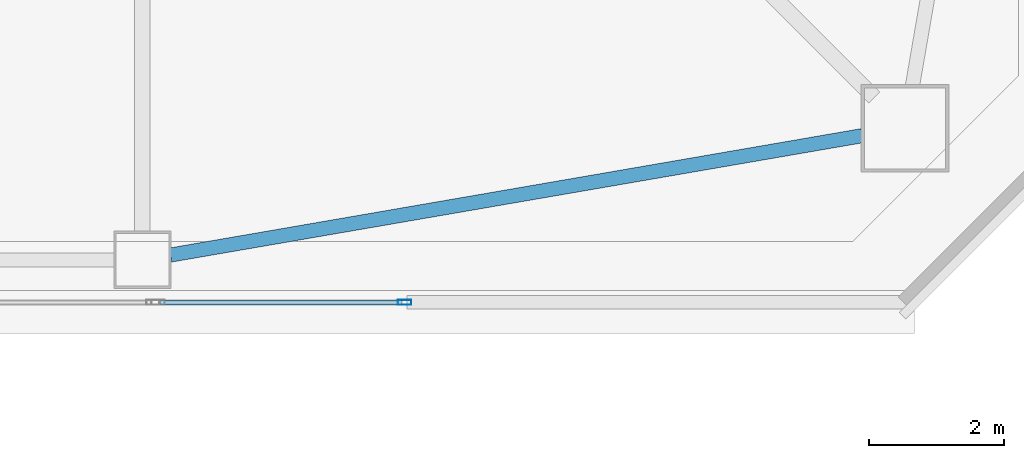
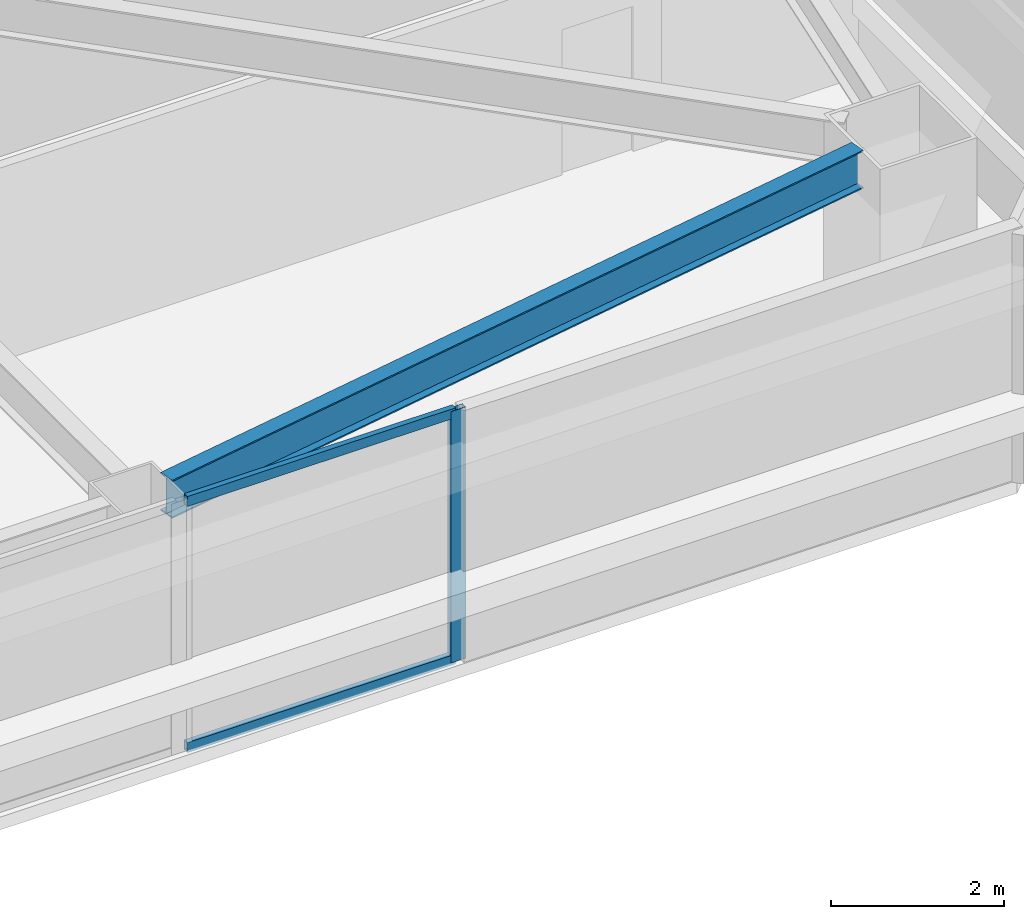
# One storey, part 6 of 41: 3 members, 1 beam, 1 element without a shape of its own.
"""IFC4 building model written with IfcOpenShell, lengths in metres."""

import ifcopenshell
import ifcopenshell.guid

model = None  # the IFC model being written
_history = None  # IfcOwnerHistory: only IFC2X3 demands one
_inside = {}  # id of a spatial element -> (the spatial element, [elements in it])
_under = {}  # id of a project, library or spatial element -> (it, [spatial elements below it])
_declared = {}  # id of a project -> (the project, [libraries it declares])
_typed = {}  # id of a type object -> (the type object, [elements of that type])
_made_of = {}  # id of a material, layer set ... -> (it, [elements and type objects made of it])


def new_model(schema):
    """Start an empty IFC model of exactly this schema.

    Asked for "IFC4X3", IfcOpenShell would pick the latest addendum, in which some entities
    have other attributes; the version numbers below select the first issue.
    IFC2X3 requires an IfcOwnerHistory on every rooted entity: one is made here for all.
    """
    global model, _history
    if schema == "IFC4X3":
        model = ifcopenshell.file(schema_version=(4, 3, 0, 0))
    else:
        model = ifcopenshell.file(schema=schema)
    _inside.clear()
    _under.clear()
    _declared.clear()
    _typed.clear()
    _made_of.clear()
    _history = None
    if model.schema == "IFC2X3":
        org = make("IfcOrganization", Name="unknown")
        user = make(
            "IfcPersonAndOrganization",
            ThePerson=make("IfcPerson", FamilyName="unknown"),
            TheOrganization=org,
        )
        app = make(
            "IfcApplication",
            ApplicationDeveloper=org,
            Version="unknown",
            ApplicationFullName="unknown",
            ApplicationIdentifier="unknown",
        )
        _history = make(
            "IfcOwnerHistory",
            OwningUser=user,
            OwningApplication=app,
            ChangeAction="ADDED",
            CreationDate=0,
        )
    return model


def make(cls, **values):
    """One entity of the class cls with the attributes given. An attribute that is None is left unset."""
    return model.create_entity(
        cls, **{name: value for name, value in values.items() if value is not None}
    )


def rooted(cls, **values):
    """An entity with a GlobalId (a new one), such as an element, a storey or a relation."""
    return make(cls, GlobalId=ifcopenshell.guid.new(), OwnerHistory=_history, **values)


def si_unit(unit_type, name, prefix=None):
    """IfcSIUnit, for example si_unit("LENGTHUNIT", "METRE", prefix="MILLI")."""
    return make("IfcSIUnit", UnitType=unit_type, Prefix=prefix, Name=name)


def assignment(units):
    """IfcUnitAssignment: the units of a project."""
    return None if units is None else make("IfcUnitAssignment", Units=units)


def point(xyz):
    """IfcCartesianPoint."""
    return None if xyz is None else make("IfcCartesianPoint", Coordinates=xyz)


def direction(xyz):
    """IfcDirection."""
    return None if xyz is None else make("IfcDirection", DirectionRatios=xyz)


def frame(location, z_axis=None, x_axis=None):
    """IfcAxis2Placement3D, a coordinate frame: its origin and axes. An axis left out is left unset."""
    return make(
        "IfcAxis2Placement3D",
        Location=point(location),
        Axis=direction(z_axis),
        RefDirection=direction(x_axis),
    )


def frame_2d(location, x_axis=None):
    """IfcAxis2Placement2D, a coordinate frame in the plane: its origin and x axis."""
    return make(
        "IfcAxis2Placement2D", Location=point(location), RefDirection=direction(x_axis)
    )


def origin():
    """The frame at (0, 0, 0) with its axes left unset."""
    return frame((0.0, 0.0, 0.0))


def origin_2d():
    """The frame at (0, 0) in the plane with its x axis left unset."""
    return frame_2d((0.0, 0.0))


def place(relative_to, where):
    """IfcLocalPlacement: puts the frame where relative to a parent placement (None: the world)."""
    return make(
        "IfcLocalPlacement", PlacementRelTo=relative_to, RelativePlacement=where
    )


def context(
    kind, dimensions, precision=None, world=None, true_north=None, identifier=None
):
    """IfcGeometricRepresentationContext, for example the 3D "Model" context."""
    return make(
        "IfcGeometricRepresentationContext",
        ContextIdentifier=identifier,
        ContextType=kind,
        CoordinateSpaceDimension=dimensions,
        Precision=precision,
        WorldCoordinateSystem=world,
        TrueNorth=true_north,
    )


def subcontext(parent, identifier, kind, view, scale=None):
    """IfcGeometricRepresentationSubContext, for example "Body" below "Model"."""
    return make(
        "IfcGeometricRepresentationSubContext",
        ContextIdentifier=identifier,
        ContextType=kind,
        ParentContext=parent,
        TargetScale=scale,
        TargetView=view,
    )


def project(units=None, contexts=None):
    """IfcProject with its units and contexts."""
    return rooted(
        "IfcProject",
        Name="project",
        RepresentationContexts=contexts,
        UnitsInContext=assignment(units),
    )


def spatial(cls, under=None, at=None, **own):
    """A site, building, storey or space (cls), placed at a placement, below another one or the project."""
    s = rooted(cls, ObjectPlacement=at, **own)
    if under is not None:
        _under.setdefault(under.id(), (under, []))[1].append(s)
    return s


def profile(cls, at=None, kind="AREA", **sizes):
    """A parametric profile (cls). Its sizes go by their IFC names, for example OverallWidth=200.0."""
    return make(cls, ProfileType=kind, Position=at, **sizes)


def hollow_rectangle(**sizes):
    """IfcRectangleHollowProfileDef."""
    return profile("IfcRectangleHollowProfileDef", **sizes)


def i_section(**sizes):
    """IfcIShapeProfileDef."""
    return profile("IfcIShapeProfileDef", **sizes)


def extrude(swept, where, along, depth):
    """IfcExtrudedAreaSolid: the profile swept, set in the frame where, extruded along a direction by depth."""
    return make(
        "IfcExtrudedAreaSolid",
        SweptArea=swept,
        Position=where,
        ExtrudedDirection=direction(along),
        Depth=depth,
    )


def shape(context_of_items, identifier, shape_type, items):
    """IfcShapeRepresentation: the items that make up one representation, for example the "Body"."""
    return make(
        "IfcShapeRepresentation",
        ContextOfItems=context_of_items,
        RepresentationIdentifier=identifier,
        RepresentationType=shape_type,
        Items=items,
    )


def material(Name=None, Category=None):
    """IfcMaterial."""
    return make("IfcMaterial", Name=Name, Category=Category)


def material_profile(
    of_material, cross_section, Name=None, Category=None, Priority=None
):
    """IfcMaterialProfile: a cross section and its material."""
    return make(
        "IfcMaterialProfile",
        Name=Name,
        Material=of_material,
        Profile=cross_section,
        Priority=Priority,
        Category=Category,
    )


def profile_set(profiles, Name=None, composite=None):
    """IfcMaterialProfileSet."""
    return make(
        "IfcMaterialProfileSet",
        Name=Name,
        MaterialProfiles=profiles,
        CompositeProfile=composite,
    )


def made_of(thing, what):
    """Note that an element or type object is made of a material, layer set ...; save() writes the relation."""
    if what is not None:
        _made_of.setdefault(what.id(), (what, []))[1].append(thing)
    return thing


def type_object(cls, material=None, **own):
    """A type object (cls), such as IfcWallType, which elements share."""
    return made_of(rooted(cls, **own), material)


def element(
    cls,
    number,
    at=None,
    inside=None,
    cuts=None,
    type_object=None,
    material=None,
    context=None,
    identifier="Body",
    shape_type=None,
    held_by="IfcProductDefinitionShape",
    body=None,
    shapes=None,
    **own,
):
    """One element of the class cls, such as IfcWall. Its Tag is "e" and its number.

    at: its placement. inside: the storey or other place that contains it. cuts: it is an
    opening in that element (IfcRelVoidsElement). A single representation is given by context,
    identifier, shape_type and body (its items); several are given by shapes. held_by: the class
    of the entity that holds the representations. save() writes the other relations.
    """
    e = rooted(cls, Tag="e%d" % number, ObjectPlacement=at, **own)
    if body is not None:
        shapes = [shape(context, identifier, shape_type, body)]
    if shapes is not None:
        e.Representation = make(held_by, Representations=shapes)
    if inside is not None:
        _inside.setdefault(inside.id(), (inside, []))[1].append(e)
    if cuts is not None:
        rooted(
            "IfcRelVoidsElement", RelatingBuildingElement=cuts, RelatedOpeningElement=e
        )
    if type_object is not None:
        _typed.setdefault(type_object.id(), (type_object, []))[1].append(e)
    return made_of(e, material)


def aggregate(whole, parts):
    """IfcRelAggregates: a whole, such as a stair, and the parts it consists of."""
    return rooted("IfcRelAggregates", RelatingObject=whole, RelatedObjects=parts)


def save(model, path):
    """Write the relations noted so far, then the file.

    IfcRelAggregates (storeys below a building ...), IfcRelContainedInSpatialStructure (elements
    in a storey), IfcRelDefinesByType, IfcRelAssociatesMaterial and IfcRelDeclares: one each for
    every whole, place, type object, material and project.
    """
    for whole, parts in _under.values():
        aggregate(whole, parts)
    for where, things in _inside.values():
        rooted(
            "IfcRelContainedInSpatialStructure",
            RelatedElements=things,
            RelatingStructure=where,
        )
    for kind, things in _typed.values():
        rooted("IfcRelDefinesByType", RelatedObjects=things, RelatingType=kind)
    for what, things in _made_of.values():
        rooted("IfcRelAssociatesMaterial", RelatedObjects=things, RelatingMaterial=what)
    for by, libraries in _declared.values():
        rooted("IfcRelDeclares", RelatingContext=by, RelatedDefinitions=libraries)
    model.write(path)


model = new_model("IFC4")

# Units and contexts
model_context = context("Model", 3, precision=1e-05, world=origin(), true_north=direction((0.0, 1.0)))
body_context = subcontext(model_context, "Body", "Model", "MODEL_VIEW")
ifc_project = project(units=[si_unit("LENGTHUNIT", "METRE"), si_unit("AREAUNIT", "SQUARE_METRE"), si_unit("VOLUMEUNIT", "CUBIC_METRE"), si_unit("PLANEANGLEUNIT", "RADIAN"), si_unit("MASSUNIT", "GRAM", prefix="KILO")], contexts=[model_context])

# Site, building, storey
site_placement = place(None, origin())
site = spatial("IfcSite", under=ifc_project, at=site_placement, CompositionType="ELEMENT")
building_placement = place(site_placement, origin())
building = spatial("IfcBuilding", under=site, at=building_placement, Name="Tashvorn Skyway Center", CompositionType="ELEMENT")
storey_placement = place(building_placement, frame((0.0, 0.0, 146.35009765625)))
storey = spatial("IfcBuildingStorey", under=building, at=storey_placement, Name="L39", CompositionType="ELEMENT", Elevation=146.35009765625)

# Beam
ifc_material_1 = material(Name="Steel ASTM A992 Grade 50", Category="steel")
ifc_material_profile_1 = material_profile(ifc_material_1, i_section(OverallWidth=0.2109375, OverallDepth=0.5390625, WebThickness=0.01171875, FlangeThickness=0.018798828125, at=origin_2d()), Name="W21X73")
ifc_profile_set_1 = profile_set([ifc_material_profile_1], Name="Steel ASTM A992 Grade 50")
beam_type = type_object("IfcBeamType", Name="BM-SPANDREL-W21X73", PredefinedType="SPANDREL", material=ifc_profile_set_1)
beam_placement = place(storey_placement, frame((47.81396484375, 13.42138671875, 3.100341796875), z_axis=(0.985432458462, 0.170067250846, 0.0), x_axis=(-0.170067250846, 0.985432458462, 0.0)))
element("IfcBeam", 1, at=beam_placement, inside=storey, type_object=beam_type, Name="Tower 1 L39 Spandrel Beam 03", PredefinedType="SPANDREL", context=body_context, shape_type="SweptSolid", body=[
    extrude(i_section(OverallWidth=0.2109375, OverallDepth=0.5390625, WebThickness=0.01171875, FlangeThickness=0.018798828125, at=origin_2d()), origin(), (0.0, 0.0, 1.0), 10.402099609375),
])

# Curtain wall, members
ifc_material_2 = material(Name="Thermally broken bronze-anodized aluminium 6063-T6", Category="aluminium")
curtain_wall_type = type_object("IfcCurtainWallType", Name="CW-CW-Z3", PredefinedType="NOTDEFINED", material=ifc_material_2)
curtain_wall_placement = place(storey_placement, origin())
curtain_wall = element("IfcCurtainWall", 2, at=curtain_wall_placement, inside=storey, type_object=curtain_wall_type, Name="Tower 1 L39 South Unitised Curtain Wall Glazing Group 1", PredefinedType="NOTDEFINED")
ifc_material_profile_2 = material_profile(ifc_material_2, hollow_rectangle(XDim=0.074951171875, YDim=0.199951171875, WallThickness=0.00439453125, at=origin_2d()), Name="ALU-MULL-75x200")
ifc_profile_set_2 = profile_set([ifc_material_profile_2], Name="Thermally broken bronze-anodized aluminium 6063-T6")
member_type_1 = type_object("IfcMemberType", Name="CWM-CW-Z3", PredefinedType="MULLION", material=ifc_profile_set_2)
member_1_placement = place(storey_placement, frame((51.28466796875, 12.719970703125, 0.0), z_axis=(0.0, 0.0, 1.0), x_axis=(0.0, -1.0, 0.0)))
member_1 = element("IfcMember", 3, at=member_1_placement, type_object=member_type_1, Name="CW-Z3 mullion 1", PredefinedType="MULLION", context=body_context, shape_type="SweptSolid", body=[
    extrude(hollow_rectangle(XDim=0.074951171875, YDim=0.199951171875, WallThickness=0.00439453125, at=origin_2d()), origin(), (0.0, 0.0, 1.0), 3.5498046875),
])
ifc_material_profile_3 = material_profile(ifc_material_2, hollow_rectangle(XDim=0.074951171875, YDim=0.139892578125, WallThickness=0.004150390625, at=origin_2d()), Name="ALU-TRAN-75x140")
ifc_profile_set_3 = profile_set([ifc_material_profile_3], Name="Thermally broken bronze-anodized aluminium 6063-T6")
member_type_2 = type_object("IfcMemberType", Name="CWT-CW-Z3", PredefinedType="USERDEFINED", material=ifc_profile_set_3)
member_2_placement = place(storey_placement, frame((51.247314453125, 12.719970703125, 0.037353515625), z_axis=(-1.0, 0.0, 0.0), x_axis=(0.0, -1.0, 0.0)))
member_2 = element("IfcMember", 4, at=member_2_placement, type_object=member_type_2, Name="CW-Z3 transom 1.1", ObjectType="TRANSOM", PredefinedType="USERDEFINED", context=body_context, shape_type="SweptSolid", body=[
    extrude(hollow_rectangle(XDim=0.074951171875, YDim=0.139892578125, WallThickness=0.004150390625, at=origin_2d()), origin(), (0.0, 0.0, 1.0), 3.5791015625),
])
member_3_placement = place(storey_placement, frame((51.247314453125, 12.719970703125, 3.512451171875), z_axis=(-1.0, 0.0, 0.0), x_axis=(0.0, -1.0, 0.0)))
member_3 = element("IfcMember", 5, at=member_3_placement, type_object=member_type_2, Name="CW-Z3 transom 1.2", ObjectType="TRANSOM", PredefinedType="USERDEFINED", context=body_context, shape_type="SweptSolid", body=[
    extrude(hollow_rectangle(XDim=0.074951171875, YDim=0.139892578125, WallThickness=0.004150390625, at=origin_2d()), origin(), (0.0, 0.0, 1.0), 3.5791015625),
])
aggregate(curtain_wall, [member_1, member_2, member_3])

save(model, "model.ifc")
